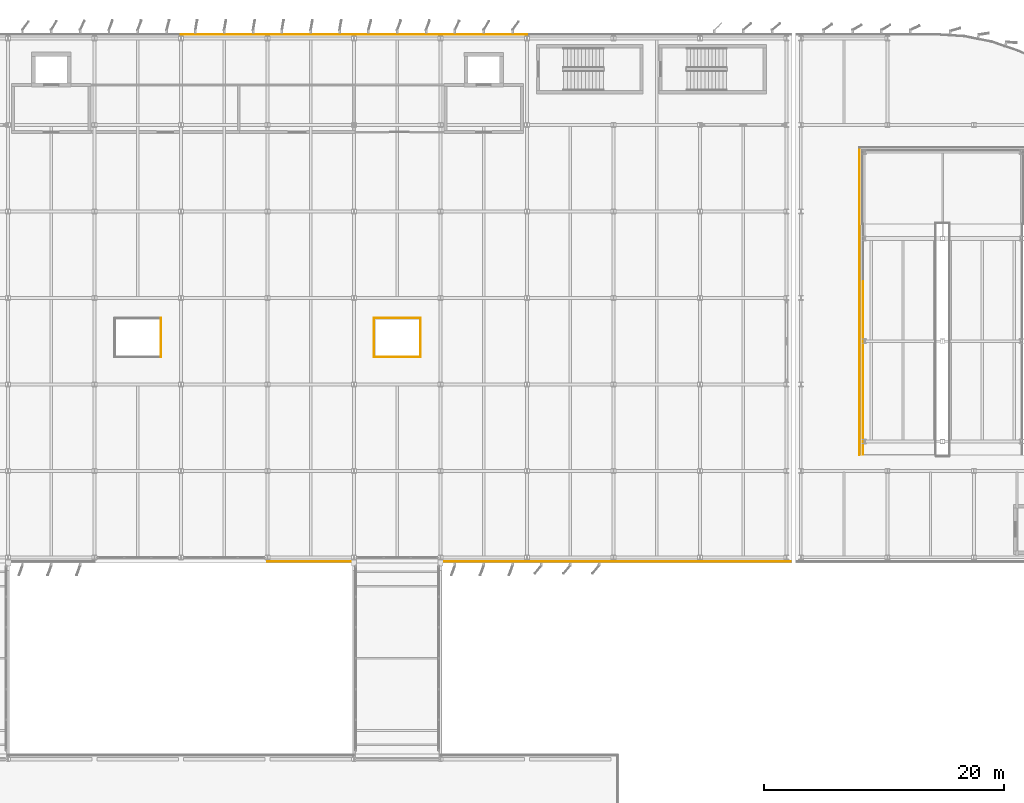
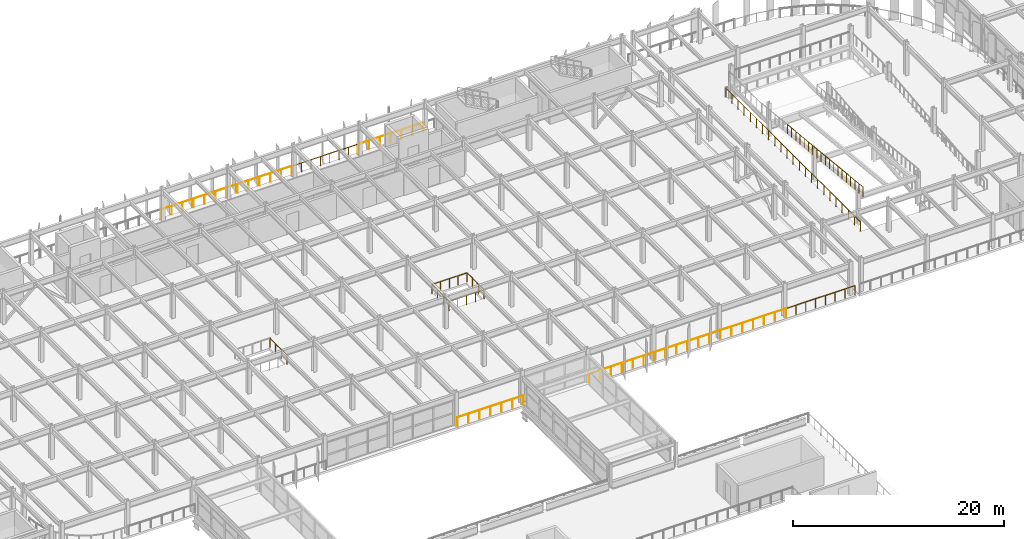
# One storey, part 82 of 93: 18 railings.
"""IFC4 building model written with IfcOpenShell, lengths in metres."""

from ifc_helpers import new_model, si_unit, direction, frame, origin, origin_2d, place, context, subcontext, project, spatial, circle, extrude, material, layer, layer_set, type_object, element, save


model = new_model("IFC4")

# Units and contexts
model_context = context("Model", 3, precision=1e-05, world=origin(), true_north=direction((0.0, 1.0)))
body_context = subcontext(model_context, "Body", "Model", "MODEL_VIEW")
ifc_project = project(units=[si_unit("LENGTHUNIT", "METRE"), si_unit("AREAUNIT", "SQUARE_METRE"), si_unit("VOLUMEUNIT", "CUBIC_METRE"), si_unit("PLANEANGLEUNIT", "RADIAN"), si_unit("MASSUNIT", "GRAM", prefix="KILO")], contexts=[model_context])

# Site, building, storey
site_placement = place(None, origin())
site = spatial("IfcSite", under=ifc_project, at=site_placement, CompositionType="ELEMENT")
building_placement = place(site_placement, origin())
building = spatial("IfcBuilding", under=site, at=building_placement, Name="Vaelcorin Mobility Hub", CompositionType="ELEMENT")
storey_placement = place(building_placement, frame((0.0, 0.0, 5.39990234375)))
storey = spatial("IfcBuildingStorey", under=building, at=storey_placement, Name="L01", CompositionType="ELEMENT", Elevation=5.39990234375)

# Railings
ifc_material = material(Name="Galvanised structural steel ASTM A36", Category="steel")
ifc_layer = layer(ifc_material, 0.070068359375)
ifc_layer_set = layer_set([ifc_layer], Name="Galvanised structural steel ASTM A36")
railing_type = type_object("IfcRailingType", Name="RL-GUARD-1100", PredefinedType="BALUSTRADE", material=ifc_layer_set)
for number, where, name in (
    (1, (72.0, 120.330078125, 0.0), "L01 Perimeter Guard GR-V4-L01-N-06-01"),
    (2, (79.199951171875, 76.469970703125, 0.0), "L01 Perimeter Guard GR-V4-L01-S-07-01"),
    (3, (79.199951171875, 120.330078125, 0.0), "L01 Perimeter Guard GR-V4-L01-N-07-01"),
):
    element("IfcRailing", number, at=place(storey_placement, frame(where)), inside=storey, type_object=railing_type, Name=name, PredefinedType="BALUSTRADE", context=body_context, shape_type="SweptSolid", body=[
        extrude(circle(Radius=0.02392578125, at=origin_2d()), frame((0.0, 0.0, 1.076171875), z_axis=(1.0, 0.0, 0.0), x_axis=(0.0, 1.0, 0.0)), (0.0, 0.0, 1.0), 7.199951171875),
        extrude(circle(Radius=0.02099609375, at=origin_2d()), origin(), (0.0, 0.0, 1.0), 1.052001953125),
        extrude(circle(Radius=0.02099609375, at=origin_2d()), frame((1.199951171875, 0.0, 0.0)), (0.0, 0.0, 1.0), 1.052001953125),
        extrude(circle(Radius=0.02099609375, at=origin_2d()), frame((2.39990234375, 0.0, 0.0)), (0.0, 0.0, 1.0), 1.052001953125),
        extrude(circle(Radius=0.02099609375, at=origin_2d()), frame((3.60009765625, 0.0, 0.0)), (0.0, 0.0, 1.0), 1.052001953125),
        extrude(circle(Radius=0.02099609375, at=origin_2d()), frame((4.800048828125, 0.0, 0.0)), (0.0, 0.0, 1.0), 1.052001953125),
        extrude(circle(Radius=0.02099609375, at=origin_2d()), frame((6.0, 0.0, 0.0)), (0.0, 0.0, 1.0), 1.052001953125),
        extrude(circle(Radius=0.02099609375, at=origin_2d()), frame((7.199951171875, 0.0, 0.0)), (0.0, 0.0, 1.0), 1.052001953125),
    ])
railing_1_placement = place(storey_placement, frame((86.39990234375, 120.330078125, 0.0)))
element("IfcRailing", 4, at=railing_1_placement, inside=storey, type_object=railing_type, Name="L01 Perimeter Guard GR-V4-L01-N-08-01", PredefinedType="BALUSTRADE", context=body_context, shape_type="SweptSolid", body=[
    extrude(circle(Radius=0.02392578125, at=origin_2d()), frame((0.0, 0.0, 1.076171875), z_axis=(1.0, 0.0, 0.0), x_axis=(0.0, 1.0, 0.0)), (0.0, 0.0, 1.0), 7.2001953125),
    extrude(circle(Radius=0.02099609375, at=origin_2d()), origin(), (0.0, 0.0, 1.0), 1.052001953125),
    extrude(circle(Radius=0.02099609375, at=origin_2d()), frame((1.028564453125, 0.0, 0.0)), (0.0, 0.0, 1.0), 1.052001953125),
    extrude(circle(Radius=0.02099609375, at=origin_2d()), frame((2.05712890625, 0.0, 0.0)), (0.0, 0.0, 1.0), 1.052001953125),
    extrude(circle(Radius=0.02099609375, at=origin_2d()), frame((3.085693359375, 0.0, 0.0)), (0.0, 0.0, 1.0), 1.052001953125),
    extrude(circle(Radius=0.02099609375, at=origin_2d()), frame((4.114501953125, 0.0, 0.0)), (0.0, 0.0, 1.0), 1.052001953125),
    extrude(circle(Radius=0.02099609375, at=origin_2d()), frame((5.14306640625, 0.0, 0.0)), (0.0, 0.0, 1.0), 1.052001953125),
    extrude(circle(Radius=0.02099609375, at=origin_2d()), frame((6.171630859375, 0.0, 0.0)), (0.0, 0.0, 1.0), 1.052001953125),
    extrude(circle(Radius=0.02099609375, at=origin_2d()), frame((7.2001953125, 0.0, 0.0)), (0.0, 0.0, 1.0), 1.052001953125),
])
for number, where, name in (
    (5, (93.60009765625, 76.469970703125, 0.0), "L01 Perimeter Guard GR-V4-L01-S-09-01"),
    (6, (93.60009765625, 120.330078125, 0.0), "L01 Perimeter Guard GR-V4-L01-N-09-01"),
    (7, (100.800048828125, 76.469970703125, 0.0), "L01 Perimeter Guard GR-V4-L01-S-10-01"),
    (8, (108.0, 76.469970703125, 0.0), "L01 Perimeter Guard GR-V4-L01-S-11-01"),
):
    element("IfcRailing", number, at=place(storey_placement, frame(where)), inside=storey, type_object=railing_type, Name=name, PredefinedType="BALUSTRADE", context=body_context, shape_type="SweptSolid", body=[
        extrude(circle(Radius=0.02392578125, at=origin_2d()), frame((0.0, 0.0, 1.076171875), z_axis=(1.0, 0.0, 0.0), x_axis=(0.0, 1.0, 0.0)), (0.0, 0.0, 1.0), 7.199951171875),
        extrude(circle(Radius=0.02099609375, at=origin_2d()), origin(), (0.0, 0.0, 1.0), 1.052001953125),
        extrude(circle(Radius=0.02099609375, at=origin_2d()), frame((1.199951171875, 0.0, 0.0)), (0.0, 0.0, 1.0), 1.052001953125),
        extrude(circle(Radius=0.02099609375, at=origin_2d()), frame((2.39990234375, 0.0, 0.0)), (0.0, 0.0, 1.0), 1.052001953125),
        extrude(circle(Radius=0.02099609375, at=origin_2d()), frame((3.60009765625, 0.0, 0.0)), (0.0, 0.0, 1.0), 1.052001953125),
        extrude(circle(Radius=0.02099609375, at=origin_2d()), frame((4.800048828125, 0.0, 0.0)), (0.0, 0.0, 1.0), 1.052001953125),
        extrude(circle(Radius=0.02099609375, at=origin_2d()), frame((6.0, 0.0, 0.0)), (0.0, 0.0, 1.0), 1.052001953125),
        extrude(circle(Radius=0.02099609375, at=origin_2d()), frame((7.199951171875, 0.0, 0.0)), (0.0, 0.0, 1.0), 1.052001953125),
    ])
railing_2_placement = place(storey_placement, frame((115.199951171875, 76.469970703125, 0.0)))
element("IfcRailing", 9, at=railing_2_placement, inside=storey, type_object=railing_type, Name="L01 Perimeter Guard GR-V4-L01-S-12-01", PredefinedType="BALUSTRADE", context=body_context, shape_type="SweptSolid", body=[
    extrude(circle(Radius=0.02392578125, at=origin_2d()), frame((0.0, 0.0, 1.076171875), z_axis=(1.0, 0.0, 0.0), x_axis=(0.0, 1.0, 0.0)), (0.0, 0.0, 1.0), 7.530029296875),
    extrude(circle(Radius=0.02099609375, at=origin_2d()), origin(), (0.0, 0.0, 1.0), 1.052001953125),
    extrude(circle(Radius=0.02099609375, at=origin_2d()), frame((1.07568359375, 0.0, 0.0)), (0.0, 0.0, 1.0), 1.052001953125),
    extrude(circle(Radius=0.02099609375, at=origin_2d()), frame((2.1513671875, 0.0, 0.0)), (0.0, 0.0, 1.0), 1.052001953125),
    extrude(circle(Radius=0.02099609375, at=origin_2d()), frame((3.22705078125, 0.0, 0.0)), (0.0, 0.0, 1.0), 1.052001953125),
    extrude(circle(Radius=0.02099609375, at=origin_2d()), frame((4.302978515625, 0.0, 0.0)), (0.0, 0.0, 1.0), 1.052001953125),
    extrude(circle(Radius=0.02099609375, at=origin_2d()), frame((5.378662109375, 0.0, 0.0)), (0.0, 0.0, 1.0), 1.052001953125),
    extrude(circle(Radius=0.02099609375, at=origin_2d()), frame((6.454345703125, 0.0, 0.0)), (0.0, 0.0, 1.0), 1.052001953125),
    extrude(circle(Radius=0.02099609375, at=origin_2d()), frame((7.530029296875, 0.0, 0.0)), (0.0, 0.0, 1.0), 1.052001953125),
])
railing_3_placement = place(storey_placement, frame((70.320068359375, 93.47998046875, 0.0)))
element("IfcRailing", 10, at=railing_3_placement, inside=storey, type_object=railing_type, Name="L01 Perimeter Guard GR-V4-L01-LW1-02", PredefinedType="BALUSTRADE", context=body_context, shape_type="SweptSolid", body=[
    extrude(circle(Radius=0.02392578125, at=origin_2d()), frame((0.0, 0.0, 1.076171875), z_axis=(0.0, 1.0, 0.0), x_axis=(-1.0, 0.0, 0.0)), (0.0, 0.0, 1.0), 3.239990234375),
    extrude(circle(Radius=0.02099609375, at=origin_2d()), origin(), (0.0, 0.0, 1.0), 1.052001953125),
    extrude(circle(Radius=0.02099609375, at=origin_2d()), frame((0.0, 1.080078125, 0.0)), (0.0, 0.0, 1.0), 1.052001953125),
    extrude(circle(Radius=0.02099609375, at=origin_2d()), frame((0.0, 2.159912109375, 0.0)), (0.0, 0.0, 1.0), 1.052001953125),
    extrude(circle(Radius=0.02099609375, at=origin_2d()), frame((0.0, 3.239990234375, 0.0)), (0.0, 0.0, 1.0), 1.052001953125),
])
railing_4_placement = place(storey_placement, frame((88.080078125, 93.47998046875, 0.0)))
element("IfcRailing", 11, at=railing_4_placement, inside=storey, type_object=railing_type, Name="L01 Perimeter Guard GR-V4-L01-LW2-01", PredefinedType="BALUSTRADE", context=body_context, shape_type="SweptSolid", body=[
    extrude(circle(Radius=0.02392578125, at=origin_2d()), frame((0.0, 0.0, 1.076171875), z_axis=(1.0, 0.0, 0.0), x_axis=(0.0, 1.0, 0.0)), (0.0, 0.0, 1.0), 3.83984375),
    extrude(circle(Radius=0.02099609375, at=origin_2d()), origin(), (0.0, 0.0, 1.0), 1.052001953125),
    extrude(circle(Radius=0.02099609375, at=origin_2d()), frame((0.9599609375, 0.0, 0.0)), (0.0, 0.0, 1.0), 1.052001953125),
    extrude(circle(Radius=0.02099609375, at=origin_2d()), frame((1.919921875, 0.0, 0.0)), (0.0, 0.0, 1.0), 1.052001953125),
    extrude(circle(Radius=0.02099609375, at=origin_2d()), frame((2.8798828125, 0.0, 0.0)), (0.0, 0.0, 1.0), 1.052001953125),
    extrude(circle(Radius=0.02099609375, at=origin_2d()), frame((3.83984375, 0.0, 0.0)), (0.0, 0.0, 1.0), 1.052001953125),
])
railing_5_placement = place(storey_placement, frame((91.919921875, 93.47998046875, 0.0)))
element("IfcRailing", 12, at=railing_5_placement, inside=storey, type_object=railing_type, Name="L01 Perimeter Guard GR-V4-L01-LW2-02", PredefinedType="BALUSTRADE", context=body_context, shape_type="SweptSolid", body=[
    extrude(circle(Radius=0.02392578125, at=origin_2d()), frame((0.0, 0.0, 1.076171875), z_axis=(0.0, 1.0, 0.0), x_axis=(-1.0, 0.0, 0.0)), (0.0, 0.0, 1.0), 3.239990234375),
    extrude(circle(Radius=0.02099609375, at=origin_2d()), origin(), (0.0, 0.0, 1.0), 1.052001953125),
    extrude(circle(Radius=0.02099609375, at=origin_2d()), frame((0.0, 1.080078125, 0.0)), (0.0, 0.0, 1.0), 1.052001953125),
    extrude(circle(Radius=0.02099609375, at=origin_2d()), frame((0.0, 2.159912109375, 0.0)), (0.0, 0.0, 1.0), 1.052001953125),
    extrude(circle(Radius=0.02099609375, at=origin_2d()), frame((0.0, 3.239990234375, 0.0)), (0.0, 0.0, 1.0), 1.052001953125),
])
railing_6_placement = place(storey_placement, frame((91.919921875, 96.719970703125, 0.0)))
element("IfcRailing", 13, at=railing_6_placement, inside=storey, type_object=railing_type, Name="L01 Perimeter Guard GR-V4-L01-LW2-03", PredefinedType="BALUSTRADE", context=body_context, shape_type="SweptSolid", body=[
    extrude(circle(Radius=0.02392578125, at=origin_2d()), frame((0.0, 0.0, 1.076171875), z_axis=(-1.0, 0.0, 0.0), x_axis=(0.0, -1.0, 0.0)), (0.0, 0.0, 1.0), 3.83984375),
    extrude(circle(Radius=0.02099609375, at=origin_2d()), origin(), (0.0, 0.0, 1.0), 1.052001953125),
    extrude(circle(Radius=0.02099609375, at=origin_2d()), frame((-0.9599609375, 0.0, 0.0)), (0.0, 0.0, 1.0), 1.052001953125),
    extrude(circle(Radius=0.02099609375, at=origin_2d()), frame((-1.919921875, 0.0, 0.0)), (0.0, 0.0, 1.0), 1.052001953125),
    extrude(circle(Radius=0.02099609375, at=origin_2d()), frame((-2.8798828125, 0.0, 0.0)), (0.0, 0.0, 1.0), 1.052001953125),
    extrude(circle(Radius=0.02099609375, at=origin_2d()), frame((-3.83984375, 0.0, 0.0)), (0.0, 0.0, 1.0), 1.052001953125),
])
railing_7_placement = place(storey_placement, frame((88.080078125, 96.719970703125, 0.0)))
element("IfcRailing", 14, at=railing_7_placement, inside=storey, type_object=railing_type, Name="L01 Perimeter Guard GR-V4-L01-LW2-04", PredefinedType="BALUSTRADE", context=body_context, shape_type="SweptSolid", body=[
    extrude(circle(Radius=0.02392578125, at=origin_2d()), frame((0.0, 0.0, 1.076171875), z_axis=(0.0, -1.0, 0.0), x_axis=(1.0, 0.0, 0.0)), (0.0, 0.0, 1.0), 3.239990234375),
    extrude(circle(Radius=0.02099609375, at=origin_2d()), origin(), (0.0, 0.0, 1.0), 1.052001953125),
    extrude(circle(Radius=0.02099609375, at=origin_2d()), frame((0.0, -1.080078125, 0.0)), (0.0, 0.0, 1.0), 1.052001953125),
    extrude(circle(Radius=0.02099609375, at=origin_2d()), frame((0.0, -2.159912109375, 0.0)), (0.0, 0.0, 1.0), 1.052001953125),
    extrude(circle(Radius=0.02099609375, at=origin_2d()), frame((0.0, -3.239990234375, 0.0)), (0.0, 0.0, 1.0), 1.052001953125),
])
railing_8_placement = place(storey_placement, frame((128.47998046875, 85.340087890625, 0.0)))
element("IfcRailing", 15, at=railing_8_placement, inside=storey, type_object=railing_type, Name="L01 Perimeter Guard GR-V2E-L01-WELL-01", PredefinedType="BALUSTRADE", context=body_context, shape_type="SweptSolid", body=[
    extrude(circle(Radius=0.02392578125, at=origin_2d()), frame((0.0, 0.0, 1.076171875), z_axis=(0.0, 1.0, 0.0), x_axis=(-1.0, 0.0, 0.0)), (0.0, 0.0, 1.0), 25.579833984375),
    extrude(circle(Radius=0.02099609375, at=origin_2d()), origin(), (0.0, 0.0, 1.0), 1.052001953125),
    extrude(circle(Radius=0.02099609375, at=origin_2d()), frame((0.0, 1.16259765625, 0.0)), (0.0, 0.0, 1.0), 1.052001953125),
    extrude(circle(Radius=0.02099609375, at=origin_2d()), frame((0.0, 2.325439453125, 0.0)), (0.0, 0.0, 1.0), 1.052001953125),
    extrude(circle(Radius=0.02099609375, at=origin_2d()), frame((0.0, 3.488037109375, 0.0)), (0.0, 0.0, 1.0), 1.052001953125),
    extrude(circle(Radius=0.02099609375, at=origin_2d()), frame((0.0, 4.65087890625, 0.0)), (0.0, 0.0, 1.0), 1.052001953125),
    extrude(circle(Radius=0.02099609375, at=origin_2d()), frame((0.0, 5.8134765625, 0.0)), (0.0, 0.0, 1.0), 1.052001953125),
    extrude(circle(Radius=0.02099609375, at=origin_2d()), frame((0.0, 6.976318359375, 0.0)), (0.0, 0.0, 1.0), 1.052001953125),
    extrude(circle(Radius=0.02099609375, at=origin_2d()), frame((0.0, 8.13916015625, 0.0)), (0.0, 0.0, 1.0), 1.052001953125),
    extrude(circle(Radius=0.02099609375, at=origin_2d()), frame((0.0, 9.3017578125, 0.0)), (0.0, 0.0, 1.0), 1.052001953125),
    extrude(circle(Radius=0.02099609375, at=origin_2d()), frame((0.0, 10.46435546875, 0.0)), (0.0, 0.0, 1.0), 1.052001953125),
    extrude(circle(Radius=0.02099609375, at=origin_2d()), frame((0.0, 11.627197265625, 0.0)), (0.0, 0.0, 1.0), 1.052001953125),
    extrude(circle(Radius=0.02099609375, at=origin_2d()), frame((0.0, 12.7900390625, 0.0)), (0.0, 0.0, 1.0), 1.052001953125),
    extrude(circle(Radius=0.02099609375, at=origin_2d()), frame((0.0, 13.95263671875, 0.0)), (0.0, 0.0, 1.0), 1.052001953125),
    extrude(circle(Radius=0.02099609375, at=origin_2d()), frame((0.0, 15.115234375, 0.0)), (0.0, 0.0, 1.0), 1.052001953125),
    extrude(circle(Radius=0.02099609375, at=origin_2d()), frame((0.0, 16.278076171875, 0.0)), (0.0, 0.0, 1.0), 1.052001953125),
    extrude(circle(Radius=0.02099609375, at=origin_2d()), frame((0.0, 17.44091796875, 0.0)), (0.0, 0.0, 1.0), 1.052001953125),
    extrude(circle(Radius=0.02099609375, at=origin_2d()), frame((0.0, 18.603515625, 0.0)), (0.0, 0.0, 1.0), 1.052001953125),
    extrude(circle(Radius=0.02099609375, at=origin_2d()), frame((0.0, 19.76611328125, 0.0)), (0.0, 0.0, 1.0), 1.052001953125),
    extrude(circle(Radius=0.02099609375, at=origin_2d()), frame((0.0, 20.928955078125, 0.0)), (0.0, 0.0, 1.0), 1.052001953125),
    extrude(circle(Radius=0.02099609375, at=origin_2d()), frame((0.0, 22.091796875, 0.0)), (0.0, 0.0, 1.0), 1.052001953125),
    extrude(circle(Radius=0.02099609375, at=origin_2d()), frame((0.0, 23.25439453125, 0.0)), (0.0, 0.0, 1.0), 1.052001953125),
    extrude(circle(Radius=0.02099609375, at=origin_2d()), frame((0.0, 24.4169921875, 0.0)), (0.0, 0.0, 1.0), 1.052001953125),
    extrude(circle(Radius=0.02099609375, at=origin_2d()), frame((0.0, 25.579833984375, 0.0)), (0.0, 0.0, 1.0), 1.052001953125),
])
railing_9_placement = place(storey_placement, frame((128.780029296875, 99.7451171875, 2.43798828125)))
element("IfcRailing", 16, at=railing_9_placement, inside=storey, type_object=railing_type, Name="L01 Ramp Guard GR-V2E-L01-FL2-W-02", PredefinedType="BALUSTRADE", context=body_context, shape_type="SweptSolid", body=[
    extrude(circle(Radius=0.02392578125, at=origin_2d()), frame((0.0, 0.0, 1.076171875), z_axis=(0.0, -0.994881014515, 0.101053287712), x_axis=(1.0, 0.0, 0.0)), (0.0, 0.0, 1.0), 4.81982421875),
    extrude(circle(Radius=0.02099609375, at=origin_2d()), origin(), (0.0, 0.0, 1.0), 1.052001953125),
    extrude(circle(Radius=0.02099609375, at=origin_2d()), frame((0.0, -0.79931640625, 0.0810546875)), (0.0, 0.0, 1.0), 1.052001953125),
    extrude(circle(Radius=0.02099609375, at=origin_2d()), frame((0.0, -1.598388671875, 0.162353515625)), (0.0, 0.0, 1.0), 1.052001953125),
    extrude(circle(Radius=0.02099609375, at=origin_2d()), frame((0.0, -2.3974609375, 0.24365234375)), (0.0, 0.0, 1.0), 1.052001953125),
    extrude(circle(Radius=0.02099609375, at=origin_2d()), frame((0.0, -3.19677734375, 0.32470703125)), (0.0, 0.0, 1.0), 1.052001953125),
    extrude(circle(Radius=0.02099609375, at=origin_2d()), frame((0.0, -3.99609375, 0.40576171875)), (0.0, 0.0, 1.0), 1.052001953125),
    extrude(circle(Radius=0.02099609375, at=origin_2d()), frame((0.0, -4.795166015625, 0.487060546875)), (0.0, 0.0, 1.0), 1.052001953125),
])
railing_10_placement = place(storey_placement, frame((128.780029296875, 94.949951171875, 2.925048828125)))
element("IfcRailing", 17, at=railing_10_placement, inside=storey, type_object=railing_type, Name="L01 Ramp Guard GR-V2E-L01-FL2-W-03", PredefinedType="BALUSTRADE", context=body_context, shape_type="SweptSolid", body=[
    extrude(circle(Radius=0.02392578125, at=origin_2d()), frame((0.0, 0.0, 1.076171875), z_axis=(0.0, -0.994880497217, 0.101058380445), x_axis=(1.0, 0.0, 0.0)), (0.0, 0.0, 1.0), 4.819580078125),
    extrude(circle(Radius=0.02099609375, at=origin_2d()), origin(), (0.0, 0.0, 1.0), 1.052001953125),
    extrude(circle(Radius=0.02099609375, at=origin_2d()), frame((0.0, -0.799072265625, 0.0810546875)), (0.0, 0.0, 1.0), 1.052001953125),
    extrude(circle(Radius=0.02099609375, at=origin_2d()), frame((0.0, -1.598388671875, 0.162353515625)), (0.0, 0.0, 1.0), 1.052001953125),
    extrude(circle(Radius=0.02099609375, at=origin_2d()), frame((0.0, -2.3974609375, 0.24365234375)), (0.0, 0.0, 1.0), 1.052001953125),
    extrude(circle(Radius=0.02099609375, at=origin_2d()), frame((0.0, -3.196533203125, 0.32470703125)), (0.0, 0.0, 1.0), 1.052001953125),
    extrude(circle(Radius=0.02099609375, at=origin_2d()), frame((0.0, -3.995849609375, 0.40576171875)), (0.0, 0.0, 1.0), 1.052001953125),
    extrude(circle(Radius=0.02099609375, at=origin_2d()), frame((0.0, -4.794921875, 0.487060546875)), (0.0, 0.0, 1.0), 1.052001953125),
])
railing_11_placement = place(storey_placement, frame((128.780029296875, 90.155029296875, 3.412109375)))
element("IfcRailing", 18, at=railing_11_placement, inside=storey, type_object=railing_type, Name="L01 Ramp Guard GR-V2E-L01-FL2-W-04", PredefinedType="BALUSTRADE", context=body_context, shape_type="SweptSolid", body=[
    extrude(circle(Radius=0.02392578125, at=origin_2d()), frame((0.0, 0.0, 1.076171875), z_axis=(0.0, -0.994860105467, 0.10125892825), x_axis=(1.0, 0.0, 0.0)), (0.0, 0.0, 1.0), 4.819580078125),
    extrude(circle(Radius=0.02099609375, at=origin_2d()), origin(), (0.0, 0.0, 1.0), 1.052001953125),
    extrude(circle(Radius=0.02099609375, at=origin_2d()), frame((0.0, -0.799072265625, 0.081298828125)), (0.0, 0.0, 1.0), 1.052001953125),
    extrude(circle(Radius=0.02099609375, at=origin_2d()), frame((0.0, -1.598388671875, 0.16259765625)), (0.0, 0.0, 1.0), 1.052001953125),
    extrude(circle(Radius=0.02099609375, at=origin_2d()), frame((0.0, -2.3974609375, 0.244140625)), (0.0, 0.0, 1.0), 1.052001953125),
    extrude(circle(Radius=0.02099609375, at=origin_2d()), frame((0.0, -3.196533203125, 0.325439453125)), (0.0, 0.0, 1.0), 1.052001953125),
    extrude(circle(Radius=0.02099609375, at=origin_2d()), frame((0.0, -3.995849609375, 0.40673828125)), (0.0, 0.0, 1.0), 1.052001953125),
    extrude(circle(Radius=0.02099609375, at=origin_2d()), frame((0.0, -4.794921875, 0.488037109375)), (0.0, 0.0, 1.0), 1.052001953125),
])

save(model, "model.ifc")
